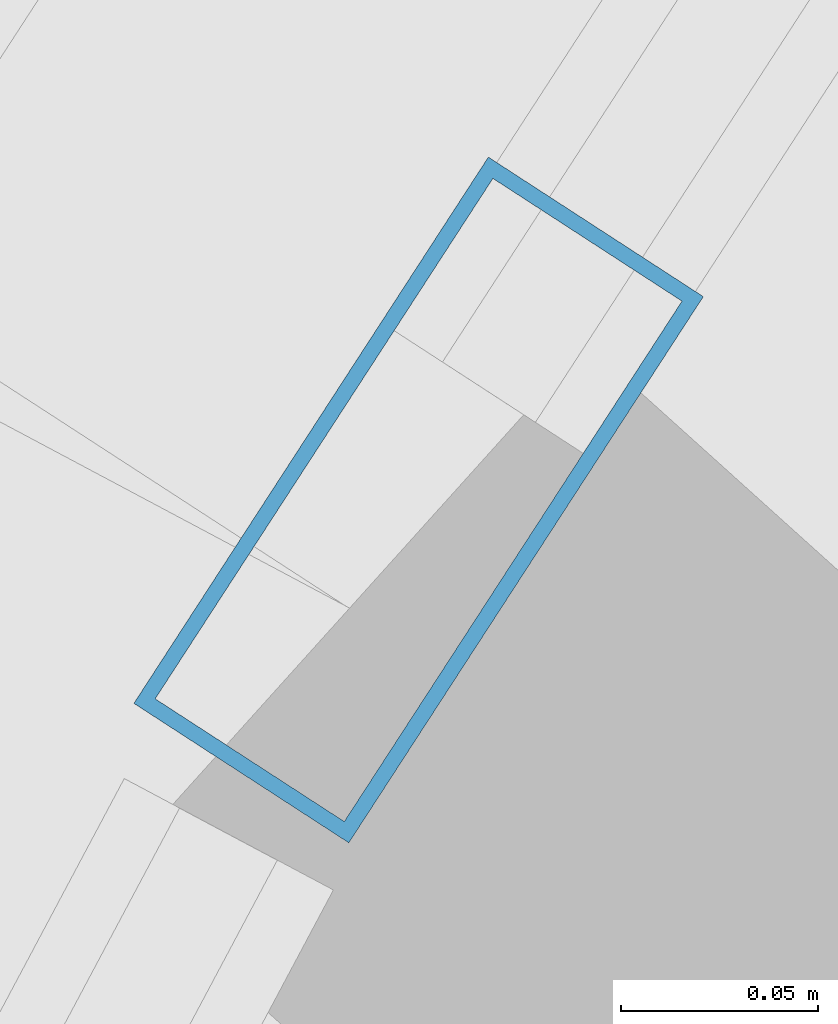
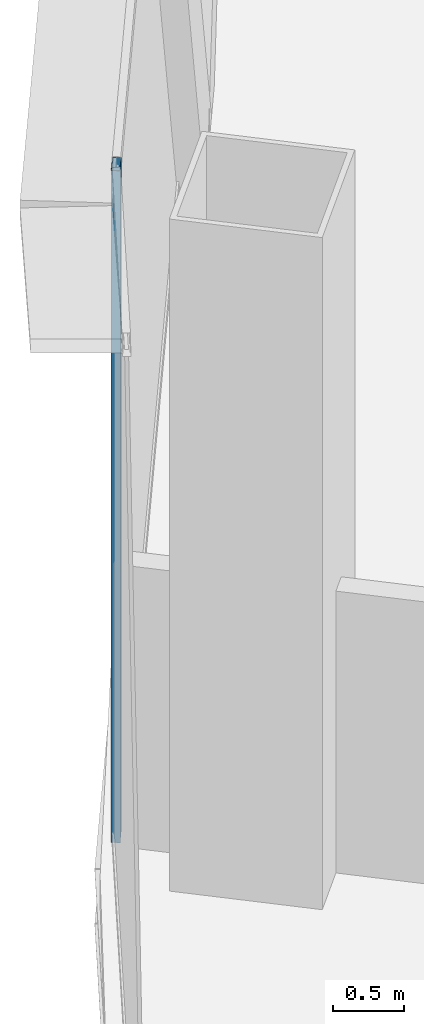
# One storey, part 16 of 41: 1 member, 1 element without a shape of its own.
"""IFC4 building model written with IfcOpenShell, lengths in metres."""

from ifc_helpers import new_model, si_unit, direction, frame, origin, origin_2d, place, context, subcontext, project, spatial, hollow_rectangle, extrude, source, transform, mapped, material, layer, layer_set, material_profile, profile_set, type_object, element, aggregate, save


model = new_model("IFC4")

# Units and contexts
model_context = context("Model", 3, precision=1e-05, world=origin(), true_north=direction((0.0, 1.0)))
body_context = subcontext(model_context, "Body", "Model", "MODEL_VIEW")
ifc_project = project(units=[si_unit("LENGTHUNIT", "METRE"), si_unit("AREAUNIT", "SQUARE_METRE"), si_unit("VOLUMEUNIT", "CUBIC_METRE"), si_unit("PLANEANGLEUNIT", "RADIAN"), si_unit("MASSUNIT", "GRAM", prefix="KILO"), si_unit("THERMODYNAMICTEMPERATUREUNIT", "KELVIN"), si_unit("POWERUNIT", "WATT")], contexts=[model_context])

# Site, building, storey
site_placement = place(None, origin())
site = spatial("IfcSite", under=ifc_project, at=site_placement, CompositionType="ELEMENT")
building_placement = place(site_placement, origin())
building = spatial("IfcBuilding", under=site, at=building_placement, Name="Yunzhuo Pagoda Commons", CompositionType="ELEMENT")
storey_placement = place(building_placement, frame((0.0, 0.0, 70.330078125)))
storey = spatial("IfcBuildingStorey", under=building, at=storey_placement, Name="L18", CompositionType="ELEMENT", Elevation=70.330078125)

# Curtain wall, member
ifc_material = material(Name="Anodized aluminium 6063-T6", Category="aluminium")
ifc_layer = layer(ifc_material, 0.1650390625)
ifc_layer_set = layer_set([ifc_layer], Name="Anodized aluminium 6063-T6")
curtain_wall_type = type_object("IfcCurtainWallType", Name="CW-LOW Low-Zone Ribbon Curtain Wall", PredefinedType="NOTDEFINED", material=ifc_layer_set)
curtain_wall_placement = place(storey_placement, origin())
curtain_wall = element("IfcCurtainWall", 1, at=curtain_wall_placement, inside=storey, type_object=curtain_wall_type, Name="L18 curtain wall CW-L18-F3B2", PredefinedType="NOTDEFINED")
ifc_material_profile = material_profile(ifc_material, hollow_rectangle(XDim=0.06494140625, YDim=0.1650390625, WallThickness=0.00390625, at=origin_2d()), Name="Anodized aluminium 6063-T6")
ifc_profile_set = profile_set([ifc_material_profile], Name="Anodized aluminium 6063-T6")
member_type = type_object("IfcMemberType", Name="CW-LOW-M Mullion RHS 165x65x4", PredefinedType="MULLION", material=ifc_profile_set)
shared_shape = source(origin(), body_context, "Body", "SweptSolid", [
    extrude(hollow_rectangle(XDim=0.06494140625, YDim=0.1650390625, WallThickness=0.00390625, at=origin_2d()), origin(), (0.0, 0.0, 1.0), 5.77001953125),
])
member_placement = place(storey_placement, frame((21.588623046875, 57.524169921875, 0.0), z_axis=(0.0, 0.0, 1.0), x_axis=(0.838840312647, -0.54437756188, 0.0)))
member = element("IfcMember", 2, at=member_placement, type_object=member_type, Name="CW mullion 2", PredefinedType="MULLION", context=body_context, shape_type="MappedRepresentation", body=[
    mapped(shared_shape, transform((0.0, 0.0, 0.0), scale=1.0)),
])
aggregate(curtain_wall, [member])

save(model, "model.ifc")
